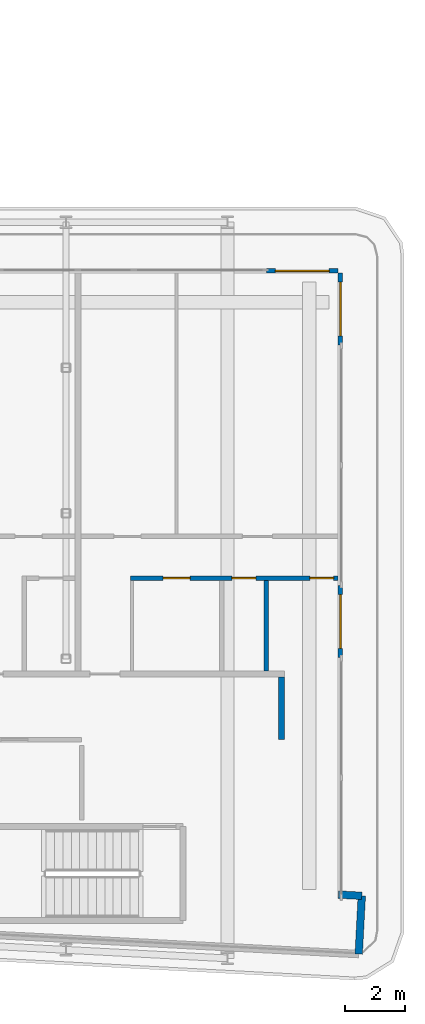
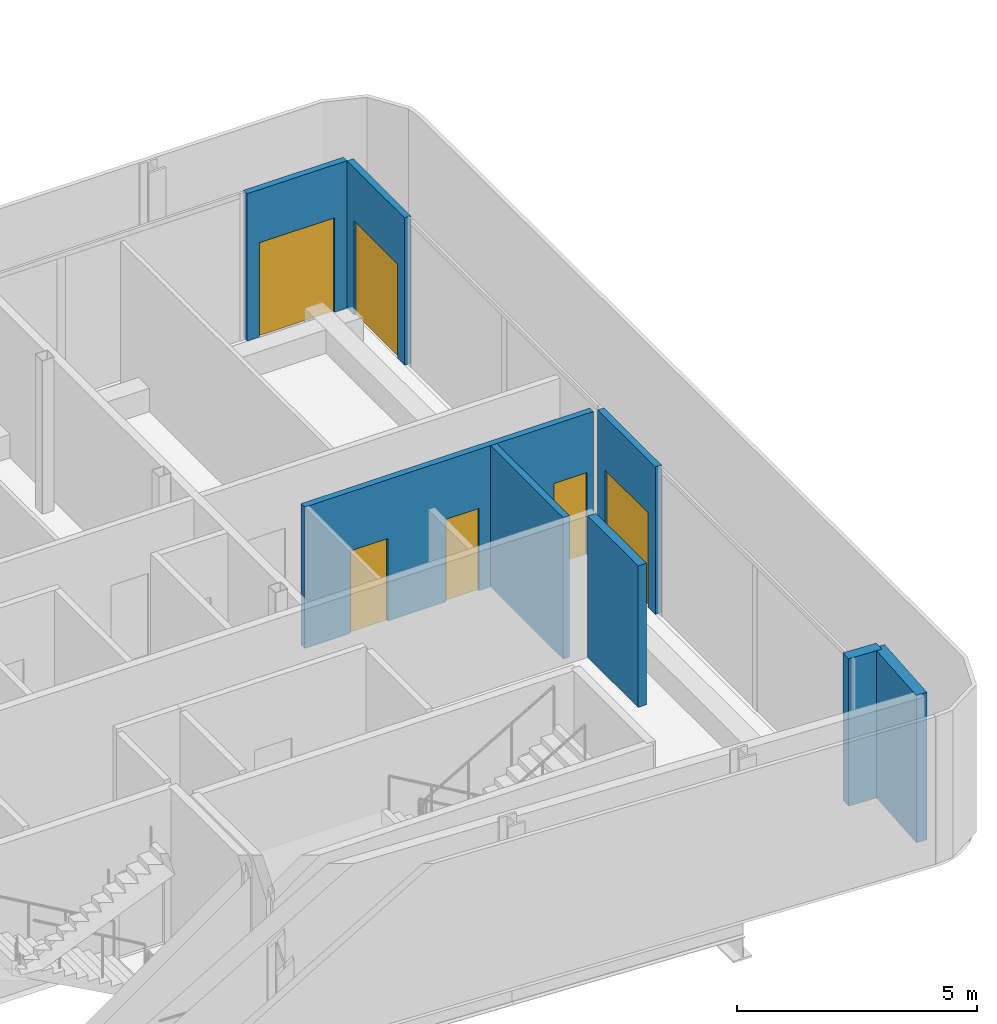
# One storey, part 20 of 29: 8 walls, 6 doors, 6 openings.
"""IFC4 building model written with IfcOpenShell, lengths in metres."""

from ifc_helpers import new_model, si_unit, direction, frame, frame_2d, origin, place, context, subcontext, project, spatial, rectangle, extrude, source, transform, mapped, material, layer, layer_set, type_object, element, fill, save


model = new_model("IFC4")

# Units and contexts
model_context = context("Model", 3, precision=1e-05, world=origin(), true_north=direction((0.0, 1.0)))
body_context = subcontext(model_context, "Body", "Model", "MODEL_VIEW")
ifc_project = project(units=[si_unit("LENGTHUNIT", "METRE"), si_unit("AREAUNIT", "SQUARE_METRE"), si_unit("VOLUMEUNIT", "CUBIC_METRE"), si_unit("PLANEANGLEUNIT", "RADIAN"), si_unit("MASSUNIT", "GRAM", prefix="KILO")], contexts=[model_context])

# Site, building, storey
site_placement = place(None, origin())
site = spatial("IfcSite", under=ifc_project, at=site_placement, CompositionType="ELEMENT")
building_placement = place(site_placement, origin())
building = spatial("IfcBuilding", under=site, at=building_placement, Name="Kheshtan School and Residences Tower", CompositionType="ELEMENT")
storey_placement = place(building_placement, frame((0.0, 0.0, 172.10009765625)))
storey = spatial("IfcBuildingStorey", under=building, at=storey_placement, Name="L40", CompositionType="ELEMENT", Elevation=172.10009765625)

# Walls
ifc_material_1 = material(Name="Gypsum board on steel studs with fire boards", Category="steel")
ifc_layer_1 = layer(ifc_material_1, 0.199951171875)
ifc_layer_set_1 = layer_set([ifc_layer_1], Name="Corridor wall 200")
wall_type_1 = type_object("IfcWallType", Name="Corridor wall 200", PredefinedType="PARTITIONING", material=ifc_layer_set_1)
wall_1_placement = place(storey_placement, frame((92.60009765625, 28.300048828125, 0.0), z_axis=(0.0, 0.0, 1.0), x_axis=(0.0, 1.0, 0.0)))
element("IfcWall", 1, at=wall_1_placement, inside=storey, type_object=wall_type_1, Name="Partition L40-073", PredefinedType="PARTITIONING", context=body_context, shape_type="SweptSolid", body=[
    extrude(rectangle(XDim=2.099853515625, YDim=0.199951171875, at=frame_2d((1.0498046875, 0.0))), origin(), (0.0, 0.0, 1.0), 3.599853515625),
])
ifc_material_2 = material(Name="Concrete C40/50 with ceramic cladding and mineral wool insulation", Category="concrete")
ifc_layer_2 = layer(ifc_material_2, 0.25)
ifc_layer_set_2 = layer_set([ifc_layer_2], Name="External wall 250 ceramic clad")
wall_type_2 = type_object("IfcWallType", Name="External wall 250 ceramic clad", PredefinedType="SOLIDWALL", material=ifc_layer_set_2)
wall_2_placement = place(storey_placement, frame((94.507080078125, 23.123046875, 0.0), z_axis=(0.0, 0.0, 1.0), x_axis=(0.998561284263, -0.053622398031, 0.0)))
element("IfcWall", 2, at=wall_2_placement, inside=storey, type_object=wall_type_2, Name="External wall L40 14", PredefinedType="SOLIDWALL", context=body_context, shape_type="SweptSolid", body=[
    extrude(rectangle(XDim=0.783203125, YDim=0.25, at=frame_2d((0.3916015625, 0.0))), origin(), (0.0, 0.0, 1.0), 3.75),
])
wall_3_placement = place(storey_placement, frame((95.2890625, 23.0810546875, 0.0), z_axis=(0.0, 0.0, 1.0), x_axis=(-0.052841433274, -0.998602915542, 0.0)))
element("IfcWall", 3, at=wall_3_placement, inside=storey, type_object=wall_type_2, Name="External wall L40 15", PredefinedType="SOLIDWALL", context=body_context, shape_type="SweptSolid", body=[
    extrude(rectangle(XDim=1.94970703125, YDim=0.25, at=frame_2d((0.974853515625, 0.0))), origin(), (0.0, 0.0, 1.0), 3.75),
])

# Wall, opening, door
ifc_material_3 = material(Name="Aluminium frame wall with insulated infill", Category="aluminium")
ifc_layer_3 = layer(ifc_material_3, 0.14990234375)
ifc_layer_set_3 = layer_set([ifc_layer_3], Name="Glazing frame wall 150")
wall_type_3 = type_object("IfcWallType", Name="Glazing frame wall 150", PredefinedType="SOLIDWALL", material=ifc_layer_set_3)
wall_4_placement = place(storey_placement, frame((92.10009765625, 43.97509765625, 0.0), z_axis=(0.0, 0.0, 1.0), x_axis=(1.0, 0.0, 0.0)))
wall_4 = element("IfcWall", 4, at=wall_4_placement, inside=storey, type_object=wall_type_3, Name="Balcony door wall L40 12.4", PredefinedType="SOLIDWALL", context=body_context, shape_type="SweptSolid", body=[
    extrude(rectangle(XDim=2.39990234375, YDim=0.14990234375, at=frame_2d((1.199951171875, 0.0))), origin(), (0.0, 0.0, 1.0), 3.75),
])
opening_1_placement = place(wall_4_placement, frame((0.300048828125, 0.0, 0.0)))
opening_1 = element("IfcOpeningElement", 5, at=opening_1_placement, cuts=wall_4, Name="Opening BD", PredefinedType="OPENING", context=body_context, shape_type="SweptSolid", body=[
    extrude(rectangle(XDim=1.800048828125, YDim=2.39990234375, at=frame_2d((0.89990234375, 1.199951171875))), frame((0.0, 0.0849609375, 0.0), z_axis=(0.0, -1.0, 0.0), x_axis=(1.0, 0.0, 0.0)), (0.0, 0.0, 1.0), 0.169921875),
])
ifc_material_4 = material(Name="Clear low-e glass in thermally broken aluminium frame", Category="aluminium")
door_type_1 = type_object("IfcDoorType", Name="Balcony sliding door", OperationType="SLIDING_TO_LEFT", PredefinedType="DOOR", material=ifc_material_4)
shared_shape_1 = source(origin(), body_context, "Body", "SweptSolid", [
    extrude(rectangle(XDim=1.800048828125, YDim=2.39990234375, at=frame_2d((0.89990234375, 1.199951171875))), frame((0.0, 0.02490234375, 0.0), z_axis=(0.0, -1.0, 0.0), x_axis=(1.0, 0.0, 0.0)), (0.0, 0.0, 1.0), 0.050048828125),
])
door_1_placement = place(opening_1_placement, origin())
door_1 = element("IfcDoor", 6, at=door_1_placement, inside=storey, type_object=door_type_1, Name="Balcony door L40 12.4", OperationType="SLIDING_TO_LEFT", OverallHeight=2.39990234375, OverallWidth=1.800048828125, PredefinedType="DOOR", context=body_context, shape_type="MappedRepresentation", body=[
    mapped(shared_shape_1, transform((0.0, 0.0, 0.0), x_axis=(1.0, 0.0, 0.0), y_axis=(0.0, 1.0, 0.0), z_axis=(0.0, 0.0, 1.0), scale=1.0)),
])
fill(opening_1, door_1)

wall_5_placement = place(storey_placement, frame((94.574951171875, 43.89990234375, 0.0), z_axis=(0.0, 0.0, 1.0), x_axis=(0.0, -1.0, 0.0)))
wall_5 = element("IfcWall", 7, at=wall_5_placement, inside=storey, type_object=wall_type_3, Name="Balcony door wall L40 13.1", PredefinedType="SOLIDWALL", context=body_context, shape_type="SweptSolid", body=[
    extrude(rectangle(XDim=2.39990234375, YDim=0.14990234375, at=frame_2d((1.199951171875, 0.0))), origin(), (0.0, 0.0, 1.0), 3.75),
])
opening_2_placement = place(wall_5_placement, frame((0.300048828125, 0.0, 0.0)))
opening_2 = element("IfcOpeningElement", 8, at=opening_2_placement, cuts=wall_5, Name="Opening BD", PredefinedType="OPENING", context=body_context, shape_type="SweptSolid", body=[
    extrude(rectangle(XDim=1.800048828125, YDim=2.39990234375, at=frame_2d((0.89990234375, 1.199951171875))), frame((0.0, 0.0849609375, 0.0), z_axis=(0.0, -1.0, 0.0), x_axis=(1.0, 0.0, 0.0)), (0.0, 0.0, 1.0), 0.169921875),
])
door_2_placement = place(opening_2_placement, origin())
door_2 = element("IfcDoor", 9, at=door_2_placement, inside=storey, type_object=door_type_1, Name="Balcony door L40 13.1", OperationType="SLIDING_TO_LEFT", OverallHeight=2.39990234375, OverallWidth=1.800048828125, PredefinedType="DOOR", context=body_context, shape_type="MappedRepresentation", body=[
    mapped(shared_shape_1, transform((0.0, 0.0, 0.0), x_axis=(1.0, 0.0, 0.0), y_axis=(0.0, 1.0, 0.0), z_axis=(0.0, 0.0, 1.0), scale=1.0)),
])
fill(opening_2, door_2)

wall_6_placement = place(storey_placement, frame((94.574951171875, 33.448974609375, 0.0), z_axis=(0.0, 0.0, 1.0), x_axis=(0.0, -1.0, 0.0)))
wall_6 = element("IfcWall", 10, at=wall_6_placement, inside=storey, type_object=wall_type_3, Name="Balcony door wall L40 13.2", PredefinedType="SOLIDWALL", context=body_context, shape_type="SweptSolid", body=[
    extrude(rectangle(XDim=2.39990234375, YDim=0.14990234375, at=frame_2d((1.199951171875, 0.0))), origin(), (0.0, 0.0, 1.0), 3.75),
])
opening_3_placement = place(wall_6_placement, frame((0.300048828125, 0.0, 0.0)))
opening_3 = element("IfcOpeningElement", 11, at=opening_3_placement, cuts=wall_6, Name="Opening BD", PredefinedType="OPENING", context=body_context, shape_type="SweptSolid", body=[
    extrude(rectangle(XDim=1.800048828125, YDim=2.39990234375, at=frame_2d((0.89990234375, 1.199951171875))), frame((0.0, 0.0849609375, 0.0), z_axis=(0.0, -1.0, 0.0), x_axis=(1.0, 0.0, 0.0)), (0.0, 0.0, 1.0), 0.169921875),
])
door_3_placement = place(opening_3_placement, origin())
door_3 = element("IfcDoor", 12, at=door_3_placement, inside=storey, type_object=door_type_1, Name="Balcony door L40 13.2", OperationType="SLIDING_TO_LEFT", OverallHeight=2.39990234375, OverallWidth=1.800048828125, PredefinedType="DOOR", context=body_context, shape_type="MappedRepresentation", body=[
    mapped(shared_shape_1, transform((0.0, 0.0, 0.0), x_axis=(1.0, 0.0, 0.0), y_axis=(0.0, 1.0, 0.0), z_axis=(0.0, 0.0, 1.0), scale=1.0)),
])
fill(opening_3, door_3)

# Wall, openings, doors
ifc_material_5 = material(Name="Moisture-resistant gypsum board on steel studs", Category="steel")
ifc_layer_4 = layer(ifc_material_5, 0.14990234375)
ifc_layer_set_4 = layer_set([ifc_layer_4], Name="Wet-room partition 150")
wall_type_4 = type_object("IfcWallType", Name="Wet-room partition 150", PredefinedType="PARTITIONING", material=ifc_layer_set_4)
wall_7_placement = place(storey_placement, frame((87.550048828125, 33.699951171875, 0.0), z_axis=(0.0, 0.0, 1.0), x_axis=(1.0, 0.0, 0.0)))
wall_7 = element("IfcWall", 13, at=wall_7_placement, inside=storey, type_object=wall_type_4, Name="Partition L40-068", PredefinedType="PARTITIONING", context=body_context, shape_type="SweptSolid", body=[
    extrude(rectangle(XDim=6.949951171875, YDim=0.14990234375, at=frame_2d((3.47509765625, 0.0))), origin(), (0.0, 0.0, 1.0), 3.599853515625),
])
opening_4_placement = place(wall_7_placement, frame((6.0, 0.0, 0.0)))
opening_4 = element("IfcOpeningElement", 14, at=opening_4_placement, cuts=wall_7, Name="Opening D39-024", PredefinedType="OPENING", context=body_context, shape_type="SweptSolid", body=[
    extrude(rectangle(XDim=0.800048828125, YDim=2.10009765625, at=frame_2d((0.39990234375, 1.050048828125))), frame((0.0, 0.0849609375, 0.0), z_axis=(0.0, -1.0, 0.0), x_axis=(1.0, 0.0, 0.0)), (0.0, 0.0, 1.0), 0.169921875),
])
opening_5_placement = place(wall_7_placement, frame((1.10009765625, 0.0, 0.0)))
opening_5 = element("IfcOpeningElement", 15, at=opening_5_placement, cuts=wall_7, Name="Opening D39-027", PredefinedType="OPENING", context=body_context, shape_type="SweptSolid", body=[
    extrude(rectangle(XDim=0.89990234375, YDim=2.10009765625, at=frame_2d((0.449951171875, 1.050048828125))), frame((0.0, 0.0849609375, 0.0), z_axis=(0.0, -1.0, 0.0), x_axis=(1.0, 0.0, 0.0)), (0.0, 0.0, 1.0), 0.169921875),
])
opening_6_placement = place(wall_7_placement, frame((3.39990234375, 0.0, 0.0)))
opening_6 = element("IfcOpeningElement", 16, at=opening_6_placement, cuts=wall_7, Name="Opening D39-029", PredefinedType="OPENING", context=body_context, shape_type="SweptSolid", body=[
    extrude(rectangle(XDim=0.800048828125, YDim=2.10009765625, at=frame_2d((0.39990234375, 1.050048828125))), frame((0.0, 0.0849609375, 0.0), z_axis=(0.0, -1.0, 0.0), x_axis=(1.0, 0.0, 0.0)), (0.0, 0.0, 1.0), 0.169921875),
])
ifc_material_6 = material(Name="Veneered timber door leaf", Category="wood")
door_type_2 = type_object("IfcDoorType", Name="Door 800 x 2100", OperationType="SINGLE_SWING_LEFT", PredefinedType="DOOR", material=ifc_material_6)
shared_shape_2 = source(origin(), body_context, "Body", "SweptSolid", [
    extrude(rectangle(XDim=0.800048828125, YDim=2.10009765625, at=frame_2d((0.39990234375, 1.050048828125))), frame((0.0, 0.02490234375, 0.0), z_axis=(0.0, -1.0, 0.0), x_axis=(1.0, 0.0, 0.0)), (0.0, 0.0, 1.0), 0.050048828125),
])
door_4_placement = place(opening_4_placement, origin())
door_4 = element("IfcDoor", 17, at=door_4_placement, inside=storey, type_object=door_type_2, Name="Door D39-024", OperationType="SINGLE_SWING_RIGHT", OverallHeight=2.10009765625, OverallWidth=0.800048828125, PredefinedType="DOOR", context=body_context, shape_type="MappedRepresentation", body=[
    mapped(shared_shape_2, transform((0.0, 0.0, 0.0), x_axis=(1.0, 0.0, 0.0), y_axis=(0.0, 1.0, 0.0), z_axis=(0.0, 0.0, 1.0), scale=1.0)),
])
fill(opening_4, door_4)
door_5_placement = place(opening_6_placement, origin())
door_5 = element("IfcDoor", 18, at=door_5_placement, inside=storey, type_object=door_type_2, Name="Door D39-029", OperationType="SINGLE_SWING_LEFT", OverallHeight=2.10009765625, OverallWidth=0.800048828125, PredefinedType="DOOR", context=body_context, shape_type="MappedRepresentation", body=[
    mapped(shared_shape_2, transform((0.0, 0.0, 0.0), x_axis=(1.0, 0.0, 0.0), y_axis=(0.0, 1.0, 0.0), z_axis=(0.0, 0.0, 1.0), scale=1.0)),
])
fill(opening_6, door_5)
door_type_3 = type_object("IfcDoorType", Name="Door 900 x 2100", OperationType="SINGLE_SWING_LEFT", PredefinedType="DOOR", material=ifc_material_6)
shared_shape_3 = source(origin(), body_context, "Body", "SweptSolid", [
    extrude(rectangle(XDim=0.89990234375, YDim=2.10009765625, at=frame_2d((0.449951171875, 1.050048828125))), frame((0.0, 0.02490234375, 0.0), z_axis=(0.0, -1.0, 0.0), x_axis=(1.0, 0.0, 0.0)), (0.0, 0.0, 1.0), 0.050048828125),
])
door_6_placement = place(opening_5_placement, origin())
door_6 = element("IfcDoor", 19, at=door_6_placement, inside=storey, type_object=door_type_3, Name="Door D39-027", OperationType="SINGLE_SWING_RIGHT", OverallHeight=2.10009765625, OverallWidth=0.89990234375, PredefinedType="DOOR", context=body_context, shape_type="MappedRepresentation", body=[
    mapped(shared_shape_3, transform((0.0, 0.0, 0.0), x_axis=(1.0, 0.0, 0.0), y_axis=(0.0, 1.0, 0.0), z_axis=(0.0, 0.0, 1.0), scale=1.0)),
])
fill(opening_5, door_6)

# Wall
wall_8_placement = place(storey_placement, frame((92.10009765625, 30.60009765625, 0.0), z_axis=(0.0, 0.0, 1.0), x_axis=(0.0, 1.0, 0.0)))
element("IfcWall", 20, at=wall_8_placement, inside=storey, type_object=wall_type_4, Name="Partition L40-072", PredefinedType="PARTITIONING", context=body_context, shape_type="SweptSolid", body=[
    extrude(rectangle(XDim=3.02490234375, YDim=0.14990234375, at=frame_2d((1.512451171875, 0.0))), origin(), (0.0, 0.0, 1.0), 3.599853515625),
])

save(model, "model.ifc")
